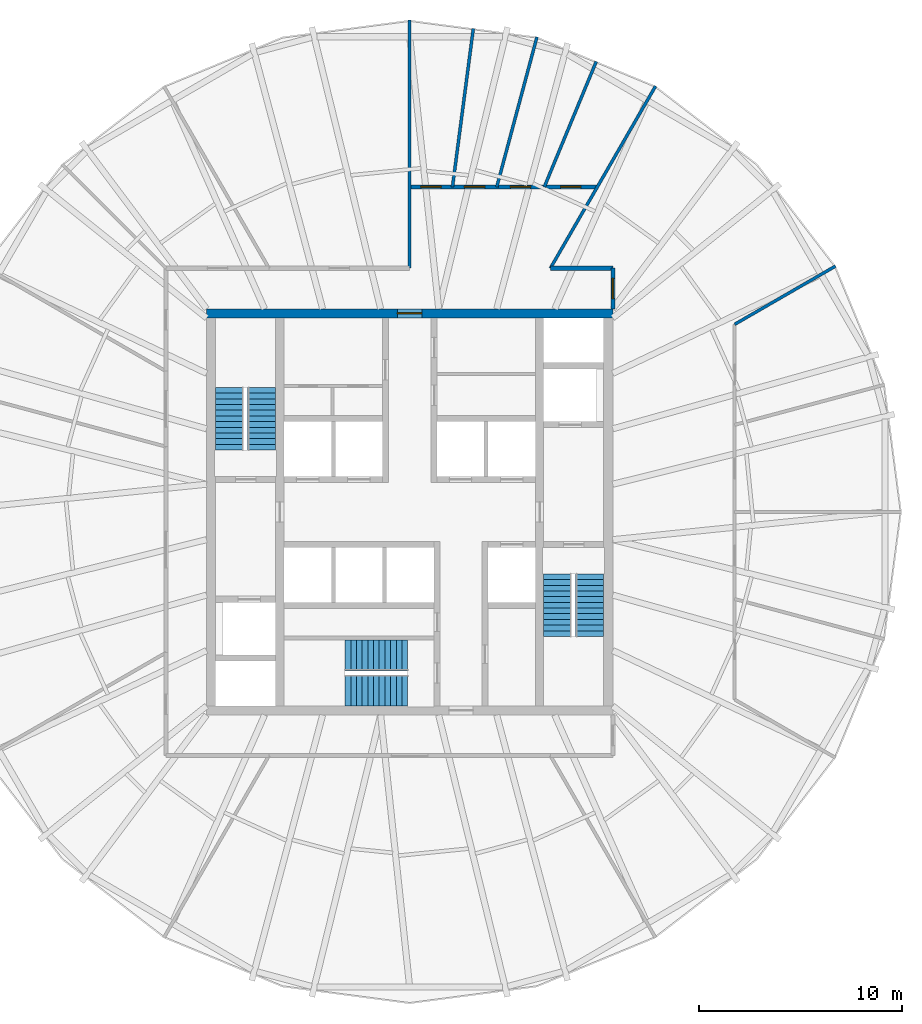
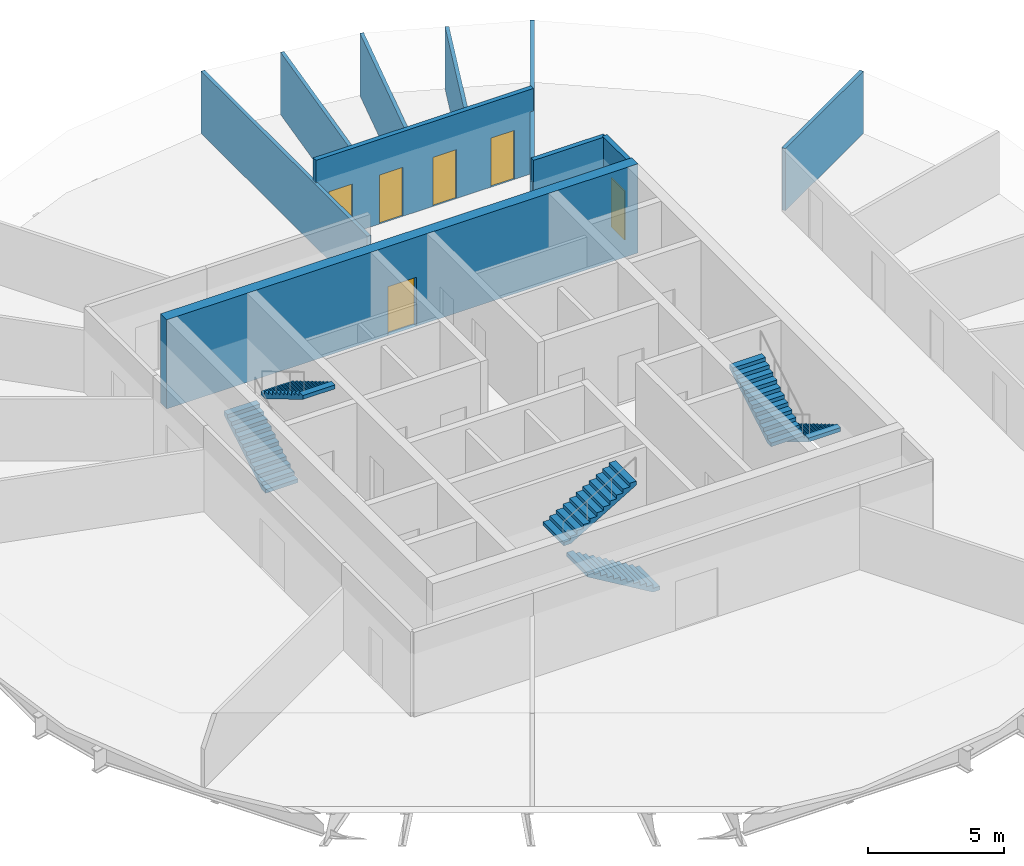
# One storey, part 5 of 6: 10 walls, 6 doors, 6 stair flights, 6 openings, 3 elements without a shape of their own.
"""IFC4 building model written with IfcOpenShell, lengths in metres."""

from ifc_helpers import new_model, si_unit, direction, frame, frame_2d, origin, place, context, subcontext, project, spatial, polyline, rectangle, outline, extrude, material, layer, layer_set, type_object, element, fill, aggregate, save


model = new_model("IFC4")

# Units and contexts
model_context = context("Model", 3, precision=1e-05, world=origin(), true_north=direction((0.0, 1.0)))
body_context = subcontext(model_context, "Body", "Model", "MODEL_VIEW")
ifc_project = project(units=[si_unit("LENGTHUNIT", "METRE"), si_unit("AREAUNIT", "SQUARE_METRE"), si_unit("VOLUMEUNIT", "CUBIC_METRE"), si_unit("PLANEANGLEUNIT", "RADIAN"), si_unit("MASSUNIT", "GRAM", prefix="KILO")], contexts=[model_context])

# Site, building, storey
site_placement = place(None, origin())
site = spatial("IfcSite", under=ifc_project, at=site_placement, CompositionType="ELEMENT")
building_placement = place(site_placement, origin())
building = spatial("IfcBuilding", under=site, at=building_placement, Name="Golbaran Civic Tower", CompositionType="ELEMENT")
storey_placement = place(building_placement, frame((0.0, 0.0, 163.0)))
storey = spatial("IfcBuildingStorey", under=building, at=storey_placement, Name="L39", CompositionType="ELEMENT", Elevation=163.0)

# Wall, opening, door
ifc_material_1 = material(Name="Concrete C50/60", Category="concrete")
ifc_layer_1 = layer(ifc_material_1, 0.449951171875, Name="Concrete C50/60")
ifc_layer_set_1 = layer_set([ifc_layer_1], Name="Concrete C50/60")
wall_type_1 = type_object("IfcWallType", Name="CORE WALL CONCRETE 450", PredefinedType="SOLIDWALL", material=ifc_layer_set_1)
wall_1_placement = place(storey_placement, frame((-10.0, 9.77490234375, 0.0), z_axis=(0.0, 0.0, 1.0), x_axis=(1.0, 0.0, 0.0)))
wall_1 = element("IfcWall", 1, at=wall_1_placement, inside=storey, type_object=wall_type_1, Name="Core wall CN L39", PredefinedType="SOLIDWALL", context=body_context, shape_type="SweptSolid", body=[
    extrude(rectangle(XDim=20.0, YDim=0.449951171875, at=frame_2d((10.0, 0.0))), origin(), (0.0, 0.0, 1.0), 4.0),
])
opening_1_placement = place(wall_1_placement, frame((9.39990234375, 0.0, 0.0)))
opening_1 = element("IfcOpeningElement", 2, at=opening_1_placement, cuts=wall_1, Name="Opening L39.CN", PredefinedType="OPENING", context=body_context, shape_type="SweptSolid", body=[
    extrude(rectangle(XDim=1.199951171875, YDim=2.199951171875, at=frame_2d((0.60009765625, 1.10009765625))), frame((0.0, 0.23486328125, 0.0), z_axis=(0.0, -1.0, 0.0), x_axis=(1.0, 0.0, 0.0)), (0.0, 0.0, 1.0), 0.469970703125),
])
ifc_material_2 = material(Name="Timber door set in steel frame", Category="steel")
door_type_1 = type_object("IfcDoorType", Name="CORE DOOR 1200x2200", OperationType="DOUBLE_DOOR_SINGLE_SWING", PredefinedType="DOOR", material=ifc_material_2)
door_1_placement = place(opening_1_placement, origin())
door_1 = element("IfcDoor", 3, at=door_1_placement, inside=storey, type_object=door_type_1, Name="Core door north", OperationType="DOUBLE_DOOR_SINGLE_SWING", OverallHeight=2.199951171875, OverallWidth=1.199951171875, PredefinedType="DOOR", context=body_context, shape_type="SweptSolid", body=[
    extrude(rectangle(XDim=1.199951171875, YDim=2.199951171875, at=frame_2d((0.60009765625, 1.10009765625))), frame((0.0, 0.02490234375, 0.0), z_axis=(0.0, -1.0, 0.0), x_axis=(1.0, 0.0, 0.0)), (0.0, 0.0, 1.0), 0.050048828125),
])
fill(opening_1, door_1)

# Wall
ifc_material_3 = material(Name="Gypsum board on steel studs, fire-rated", Category="steel")
ifc_layer_2 = layer(ifc_material_3, 0.199951171875, Name="Gypsum board on steel studs, fire-rated")
ifc_layer_set_2 = layer_set([ifc_layer_2], Name="Gypsum board on steel studs, fire-rated")
wall_type_2 = type_object("IfcWallType", Name="CORRIDOR WALL 200", PredefinedType="PARTITIONING", material=ifc_layer_set_2)
wall_2_placement = place(storey_placement, frame((10.0, 12.0, 0.0), z_axis=(0.0, 0.0, 1.0), x_axis=(-1.0, 0.0, 0.0)))
element("IfcWall", 4, at=wall_2_placement, inside=storey, type_object=wall_type_2, Name="Corridor wall L39", PredefinedType="PARTITIONING", context=body_context, shape_type="SweptSolid", body=[
    extrude(rectangle(XDim=3.07177734375, YDim=0.199951171875, at=frame_2d((1.535888671875, 0.0))), origin(), (0.0, 0.0, 1.0), 3.800048828125),
])

# Wall, opening, door
wall_3_placement = place(storey_placement, frame((10.0, 10.0, 0.0), z_axis=(0.0, 0.0, 1.0), x_axis=(0.0, 1.0, 0.0)))
wall_3 = element("IfcWall", 5, at=wall_3_placement, inside=storey, type_object=wall_type_2, Name="Corridor end wall L39", PredefinedType="PARTITIONING", context=body_context, shape_type="SweptSolid", body=[
    extrude(rectangle(XDim=2.0, YDim=0.199951171875, at=frame_2d((1.0, 0.0))), origin(), (0.0, 0.0, 1.0), 3.800048828125),
])
opening_2_placement = place(wall_3_placement, frame((0.5, 0.0, 0.0)))
opening_2 = element("IfcOpeningElement", 6, at=opening_2_placement, cuts=wall_3, Name="Opening L39.18", PredefinedType="OPENING", context=body_context, shape_type="SweptSolid", body=[
    extrude(rectangle(XDim=1.0, YDim=2.199951171875, at=frame_2d((0.5, 1.10009765625))), frame((0.0, 0.10986328125, 0.0), z_axis=(0.0, -1.0, 0.0), x_axis=(1.0, 0.0, 0.0)), (0.0, 0.0, 1.0), 0.219970703125),
])
door_type_2 = type_object("IfcDoorType", Name="OFFICE DOOR 1000x2200", OperationType="SINGLE_SWING_LEFT", PredefinedType="DOOR", material=ifc_material_2)
door_2_placement = place(opening_2_placement, origin())
door_2 = element("IfcDoor", 7, at=door_2_placement, inside=storey, type_object=door_type_2, Name="Open Office door L39", OperationType="SINGLE_SWING_LEFT", OverallHeight=2.199951171875, OverallWidth=1.0, PredefinedType="DOOR", context=body_context, shape_type="SweptSolid", body=[
    extrude(rectangle(XDim=1.0, YDim=2.199951171875, at=frame_2d((0.5, 1.10009765625))), frame((0.0, 0.02490234375, 0.0), z_axis=(0.0, -1.0, 0.0), x_axis=(1.0, 0.0, 0.0)), (0.0, 0.0, 1.0), 0.050048828125),
])
fill(opening_2, door_2)

# Wall, openings, doors
ifc_material_4 = material(Name="Gypsum board on steel studs, fire-rated, glazed panels", Category="steel")
ifc_layer_3 = layer(ifc_material_4, 0.199951171875, Name="Gypsum board on steel studs, fire-rated, glazed panels")
ifc_layer_set_3 = layer_set([ifc_layer_3], Name="Gypsum board on steel studs, fire-rated, glazed panels")
wall_type_3 = type_object("IfcWallType", Name="GALLERY WALL 200", PredefinedType="PARTITIONING", material=ifc_layer_set_3)
wall_4_placement = place(storey_placement, frame((9.237548828125, 16.0, 0.0), z_axis=(0.0, 0.0, 1.0), x_axis=(-1.0, 0.0, 0.0)))
wall_4 = element("IfcWall", 8, at=wall_4_placement, inside=storey, type_object=wall_type_3, Name="Gallery wall L39", PredefinedType="PARTITIONING", context=body_context, shape_type="SweptSolid", body=[
    extrude(rectangle(XDim=9.237548828125, YDim=0.199951171875, at=frame_2d((4.61865234375, 0.0))), origin(), (0.0, 0.0, 1.0), 3.800048828125),
])
opening_3_placement = place(wall_4_placement, frame((0.80517578125, 0.0, 0.0)))
opening_3 = element("IfcOpeningElement", 9, at=opening_3_placement, cuts=wall_4, Name="Opening L39.05", PredefinedType="OPENING", context=body_context, shape_type="SweptSolid", body=[
    extrude(rectangle(XDim=1.0, YDim=2.199951171875, at=frame_2d((0.5, 1.10009765625))), frame((0.0, 0.10986328125, 0.0), z_axis=(0.0, -1.0, 0.0), x_axis=(1.0, 0.0, 0.0)), (0.0, 0.0, 1.0), 0.219970703125),
])
opening_4_placement = place(wall_4_placement, frame((3.2802734375, 0.0, 0.0)))
opening_4 = element("IfcOpeningElement", 10, at=opening_4_placement, cuts=wall_4, Name="Opening L39.06", PredefinedType="OPENING", context=body_context, shape_type="SweptSolid", body=[
    extrude(rectangle(XDim=1.0, YDim=2.199951171875, at=frame_2d((0.5, 1.10009765625))), frame((0.0, 0.10986328125, 0.0), z_axis=(0.0, -1.0, 0.0), x_axis=(1.0, 0.0, 0.0)), (0.0, 0.0, 1.0), 0.219970703125),
])
opening_5_placement = place(wall_4_placement, frame((5.540771484375, 0.0, 0.0)))
opening_5 = element("IfcOpeningElement", 11, at=opening_5_placement, cuts=wall_4, Name="Opening L39.07", PredefinedType="OPENING", context=body_context, shape_type="SweptSolid", body=[
    extrude(rectangle(XDim=1.0, YDim=2.199951171875, at=frame_2d((0.5, 1.10009765625))), frame((0.0, 0.10986328125, 0.0), z_axis=(0.0, -1.0, 0.0), x_axis=(1.0, 0.0, 0.0)), (0.0, 0.0, 1.0), 0.219970703125),
])
opening_6_placement = place(wall_4_placement, frame((7.684326171875, 0.0, 0.0)))
opening_6 = element("IfcOpeningElement", 12, at=opening_6_placement, cuts=wall_4, Name="Opening L39.08", PredefinedType="OPENING", context=body_context, shape_type="SweptSolid", body=[
    extrude(rectangle(XDim=1.0, YDim=2.199951171875, at=frame_2d((0.5, 1.10009765625))), frame((0.0, 0.10986328125, 0.0), z_axis=(0.0, -1.0, 0.0), x_axis=(1.0, 0.0, 0.0)), (0.0, 0.0, 1.0), 0.219970703125),
])
door_3_placement = place(opening_3_placement, origin())
door_3 = element("IfcDoor", 13, at=door_3_placement, inside=storey, type_object=door_type_2, Name="Office door L39", OperationType="SINGLE_SWING_LEFT", OverallHeight=2.199951171875, OverallWidth=1.0, PredefinedType="DOOR", context=body_context, shape_type="SweptSolid", body=[
    extrude(rectangle(XDim=1.0, YDim=2.199951171875, at=frame_2d((0.5, 1.10009765625))), frame((0.0, 0.02490234375, 0.0), z_axis=(0.0, -1.0, 0.0), x_axis=(1.0, 0.0, 0.0)), (0.0, 0.0, 1.0), 0.050048828125),
])
fill(opening_3, door_3)
door_4_placement = place(opening_4_placement, origin())
door_4 = element("IfcDoor", 14, at=door_4_placement, inside=storey, type_object=door_type_2, Name="Office door L39", OperationType="SINGLE_SWING_LEFT", OverallHeight=2.199951171875, OverallWidth=1.0, PredefinedType="DOOR", context=body_context, shape_type="SweptSolid", body=[
    extrude(rectangle(XDim=1.0, YDim=2.199951171875, at=frame_2d((0.5, 1.10009765625))), frame((0.0, 0.02490234375, 0.0), z_axis=(0.0, -1.0, 0.0), x_axis=(1.0, 0.0, 0.0)), (0.0, 0.0, 1.0), 0.050048828125),
])
fill(opening_4, door_4)
door_5_placement = place(opening_5_placement, origin())
door_5 = element("IfcDoor", 15, at=door_5_placement, inside=storey, type_object=door_type_2, Name="Director's Office door L39", OperationType="SINGLE_SWING_RIGHT", OverallHeight=2.199951171875, OverallWidth=1.0, PredefinedType="DOOR", context=body_context, shape_type="SweptSolid", body=[
    extrude(rectangle(XDim=1.0, YDim=2.199951171875, at=frame_2d((0.5, 1.10009765625))), frame((0.0, 0.02490234375, 0.0), z_axis=(0.0, -1.0, 0.0), x_axis=(1.0, 0.0, 0.0)), (0.0, 0.0, 1.0), 0.050048828125),
])
fill(opening_5, door_5)
door_6_placement = place(opening_6_placement, origin())
door_6 = element("IfcDoor", 16, at=door_6_placement, inside=storey, type_object=door_type_2, Name="Director's Office door L39", OperationType="SINGLE_SWING_RIGHT", OverallHeight=2.199951171875, OverallWidth=1.0, PredefinedType="DOOR", context=body_context, shape_type="SweptSolid", body=[
    extrude(rectangle(XDim=1.0, YDim=2.199951171875, at=frame_2d((0.5, 1.10009765625))), frame((0.0, 0.02490234375, 0.0), z_axis=(0.0, -1.0, 0.0), x_axis=(1.0, 0.0, 0.0)), (0.0, 0.0, 1.0), 0.050048828125),
])
fill(opening_6, door_6)

# Walls
ifc_material_5 = material(Name="Gypsum board on steel studs", Category="steel")
ifc_layer_4 = layer(ifc_material_5, 0.14990234375, Name="Gypsum board on steel studs")
ifc_layer_set_4 = layer_set([ifc_layer_4], Name="Gypsum board on steel studs")
wall_type_4 = type_object("IfcWallType", Name="OFFICE PARTITION 150", PredefinedType="PARTITIONING", material=ifc_layer_set_4)
wall_5_placement = place(storey_placement, frame((6.92822265625, 12.0, 0.0), z_axis=(0.0, 0.0, 1.0), x_axis=(0.500006140648, 0.86602185845, 0.0)))
element("IfcWall", 17, at=wall_5_placement, inside=storey, type_object=wall_type_4, Name="Partition 60 L39", PredefinedType="PARTITIONING", context=body_context, shape_type="SweptSolid", body=[
    extrude(rectangle(XDim=10.354736328125, YDim=0.14990234375, at=frame_2d((5.17724609375, 0.0))), origin(), (0.0, 0.0, 1.0), 2.7900390625),
])
wall_6_placement = place(storey_placement, frame((0.0, 12.0, 0.0), z_axis=(0.0, 0.0, 1.0), x_axis=(0.0, 1.0, 0.0)))
element("IfcWall", 18, at=wall_6_placement, inside=storey, type_object=wall_type_4, Name="Partition 90 L39", PredefinedType="PARTITIONING", context=body_context, shape_type="SweptSolid", body=[
    extrude(rectangle(XDim=12.211181640625, YDim=0.14990234375, at=frame_2d((6.10546875, 0.0))), origin(), (0.0, 0.0, 1.0), 2.7900390625),
])
wall_7_placement = place(storey_placement, frame((16.0, 9.237548828125, 0.0), z_axis=(0.0, 0.0, 1.0), x_axis=(0.866013348985, 0.500020878944, 0.0)))
element("IfcWall", 19, at=wall_7_placement, inside=storey, type_object=wall_type_4, Name="Suite side partition L39", PredefinedType="PARTITIONING", context=body_context, shape_type="SweptSolid", body=[
    extrude(rectangle(XDim=5.736083984375, YDim=0.14990234375, at=frame_2d((2.8681640625, 0.0))), origin(), (0.0, 0.0, 1.0), 2.7900390625),
])
wall_8_placement = place(storey_placement, frame((6.62744140625, 16.0, 0.0), z_axis=(0.0, 0.0, 1.0), x_axis=(0.382682891863, 0.923879756395, 0.0)))
element("IfcWall", 20, at=wall_8_placement, inside=storey, type_object=wall_type_4, Name="Partition 67.5 L39", PredefinedType="PARTITIONING", context=body_context, shape_type="SweptSolid", body=[
    extrude(rectangle(XDim=6.68603515625, YDim=0.14990234375, at=frame_2d((3.343017578125, 0.0))), origin(), (0.0, 0.0, 1.0), 2.7900390625),
])
wall_9_placement = place(storey_placement, frame((4.287109375, 16.0, 0.0), z_axis=(0.0, 0.0, 1.0), x_axis=(0.25883290061, 0.965922113611, 0.0)))
element("IfcWall", 21, at=wall_9_placement, inside=storey, type_object=wall_type_4, Name="Partition 75 L39", PredefinedType="PARTITIONING", context=body_context, shape_type="SweptSolid", body=[
    extrude(rectangle(XDim=7.646728515625, YDim=0.14990234375, at=frame_2d((3.8232421875, 0.0))), origin(), (0.0, 0.0, 1.0), 2.7900390625),
])
wall_10_placement = place(storey_placement, frame((2.1064453125, 16.0, 0.0), z_axis=(0.0, 0.0, 1.0), x_axis=(0.130510712839, 0.99144689915, 0.0)))
element("IfcWall", 22, at=wall_10_placement, inside=storey, type_object=wall_type_4, Name="Partition 82.5 L39", PredefinedType="PARTITIONING", context=body_context, shape_type="SweptSolid", body=[
    extrude(rectangle(XDim=7.8662109375, YDim=0.14990234375, at=frame_2d((3.93310546875, 0.0))), origin(), (0.0, 0.0, 1.0), 2.7900390625),
])

# Stair, stair flights
ifc_material_6 = material(Name="Concrete C35/45", Category="concrete")
stair_type_1 = type_object("IfcStairType", Name="EXIT STAIR 2950 x 7800, 4000 RISE", PredefinedType="HALF_TURN_STAIR", material=ifc_material_6)
stair_1_placement = place(storey_placement, origin())
stair_1 = element("IfcStair", 23, at=stair_1_placement, inside=storey, type_object=stair_type_1, Name="Stair S1 L39", PredefinedType="HALF_TURN_STAIR")
stair_flight_type_1 = type_object("IfcStairFlightType", Name="STAIR FLIGHT 1375 WIDE", PredefinedType="STRAIGHT", material=ifc_material_6)
stair_flight_1_placement = place(storey_placement, frame((-8.862548828125, 3.050048828125, 0.0), z_axis=(0.0, 0.0, 1.0), x_axis=(0.0, 1.0, 0.0)))
stair_flight_1 = element("IfcStairFlight", 24, at=stair_flight_1_placement, type_object=stair_flight_type_1, Name="ST29578-40 flight 1", NumberOfRisers=12, NumberOfTreads=11, PredefinedType="STRAIGHT", RiserHeight=0.166666667, TreadLength=0.28, context=body_context, shape_type="SweptSolid", body=[
    extrude(outline(polyline([(0.0, 0.0), (0.0, 0.166748046875), (0.280029296875, 0.166748046875), (0.280029296875, 0.333251953125), (0.56005859375, 0.333251953125), (0.56005859375, 0.5), (0.840087890625, 0.5), (0.840087890625, 0.666748046875), (1.1201171875, 0.666748046875), (1.1201171875, 0.833251953125), (1.39990234375, 0.833251953125), (1.39990234375, 1.0), (1.679931640625, 1.0), (1.679931640625, 1.166748046875), (1.9599609375, 1.166748046875), (1.9599609375, 1.333251953125), (2.239990234375, 1.333251953125), (2.239990234375, 1.5), (2.52001953125, 1.5), (2.52001953125, 1.666748046875), (2.800048828125, 1.666748046875), (2.800048828125, 1.833251953125), (3.080078125, 1.833251953125), (3.080078125, 2.0), (3.080078125, 1.658935546875), (0.29296875, 0.0), (0.0, 0.0)])), frame((0.0, 0.6875, 0.0), z_axis=(0.0, -1.0, 0.0), x_axis=(1.0, 0.0, 0.0)), (0.0, 0.0, 1.0), 1.375),
])
stair_flight_2_placement = place(storey_placement, frame((-7.28759765625, 6.1298828125, 2.0), z_axis=(0.0, 0.0, 1.0), x_axis=(0.0, -1.0, 0.0)))
stair_flight_2 = element("IfcStairFlight", 25, at=stair_flight_2_placement, type_object=stair_flight_type_1, Name="ST29578-40 flight 2", NumberOfRisers=12, NumberOfTreads=11, PredefinedType="STRAIGHT", RiserHeight=0.166666667, TreadLength=0.28, context=body_context, shape_type="SweptSolid", body=[
    extrude(outline(polyline([(0.0, 0.0), (0.0, 0.166748046875), (0.280029296875, 0.166748046875), (0.280029296875, 0.333251953125), (0.56005859375, 0.333251953125), (0.56005859375, 0.5), (0.840087890625, 0.5), (0.840087890625, 0.666748046875), (1.1201171875, 0.666748046875), (1.1201171875, 0.833251953125), (1.39990234375, 0.833251953125), (1.39990234375, 1.0), (1.679931640625, 1.0), (1.679931640625, 1.166748046875), (1.9599609375, 1.166748046875), (1.9599609375, 1.333251953125), (2.239990234375, 1.333251953125), (2.239990234375, 1.5), (2.52001953125, 1.5), (2.52001953125, 1.666748046875), (2.800048828125, 1.666748046875), (2.800048828125, 1.833251953125), (3.080078125, 1.833251953125), (3.080078125, 2.0), (3.080078125, 1.658935546875), (0.29296875, 0.0), (0.0, 0.0)])), frame((0.0, 0.6875, 0.0), z_axis=(0.0, -1.0, 0.0), x_axis=(1.0, 0.0, 0.0)), (0.0, 0.0, 1.0), 1.375),
])
aggregate(stair_1, [stair_flight_1, stair_flight_2])

stair_2_placement = place(storey_placement, origin())
stair_2 = element("IfcStair", 26, at=stair_2_placement, inside=storey, type_object=stair_type_1, Name="Stair S2 L39", PredefinedType="HALF_TURN_STAIR")
stair_flight_3_placement = place(storey_placement, frame((8.862548828125, -3.050048828125, 0.0), z_axis=(0.0, 0.0, 1.0), x_axis=(0.0, -1.0, 0.0)))
stair_flight_3 = element("IfcStairFlight", 27, at=stair_flight_3_placement, type_object=stair_flight_type_1, Name="ST29578-40 flight 1", NumberOfRisers=12, NumberOfTreads=11, PredefinedType="STRAIGHT", RiserHeight=0.166666667, TreadLength=0.28, context=body_context, shape_type="SweptSolid", body=[
    extrude(outline(polyline([(0.0, 0.0), (0.0, 0.166748046875), (0.280029296875, 0.166748046875), (0.280029296875, 0.333251953125), (0.56005859375, 0.333251953125), (0.56005859375, 0.5), (0.840087890625, 0.5), (0.840087890625, 0.666748046875), (1.1201171875, 0.666748046875), (1.1201171875, 0.833251953125), (1.39990234375, 0.833251953125), (1.39990234375, 1.0), (1.679931640625, 1.0), (1.679931640625, 1.166748046875), (1.9599609375, 1.166748046875), (1.9599609375, 1.333251953125), (2.239990234375, 1.333251953125), (2.239990234375, 1.5), (2.52001953125, 1.5), (2.52001953125, 1.666748046875), (2.800048828125, 1.666748046875), (2.800048828125, 1.833251953125), (3.080078125, 1.833251953125), (3.080078125, 2.0), (3.080078125, 1.658935546875), (0.29296875, 0.0), (0.0, 0.0)])), frame((0.0, 0.6875, 0.0), z_axis=(0.0, -1.0, 0.0), x_axis=(1.0, 0.0, 0.0)), (0.0, 0.0, 1.0), 1.375),
])
stair_flight_4_placement = place(storey_placement, frame((7.28759765625, -6.1298828125, 2.0), z_axis=(0.0, 0.0, 1.0), x_axis=(0.0, 1.0, 0.0)))
stair_flight_4 = element("IfcStairFlight", 28, at=stair_flight_4_placement, type_object=stair_flight_type_1, Name="ST29578-40 flight 2", NumberOfRisers=12, NumberOfTreads=11, PredefinedType="STRAIGHT", RiserHeight=0.166666667, TreadLength=0.28, context=body_context, shape_type="SweptSolid", body=[
    extrude(outline(polyline([(0.0, 0.0), (0.0, 0.166748046875), (0.280029296875, 0.166748046875), (0.280029296875, 0.333251953125), (0.56005859375, 0.333251953125), (0.56005859375, 0.5), (0.840087890625, 0.5), (0.840087890625, 0.666748046875), (1.1201171875, 0.666748046875), (1.1201171875, 0.833251953125), (1.39990234375, 0.833251953125), (1.39990234375, 1.0), (1.679931640625, 1.0), (1.679931640625, 1.166748046875), (1.9599609375, 1.166748046875), (1.9599609375, 1.333251953125), (2.239990234375, 1.333251953125), (2.239990234375, 1.5), (2.52001953125, 1.5), (2.52001953125, 1.666748046875), (2.800048828125, 1.666748046875), (2.800048828125, 1.833251953125), (3.080078125, 1.833251953125), (3.080078125, 2.0), (3.080078125, 1.658935546875), (0.29296875, 0.0), (0.0, 0.0)])), frame((0.0, 0.6875, 0.0), z_axis=(0.0, -1.0, 0.0), x_axis=(1.0, 0.0, 0.0)), (0.0, 0.0, 1.0), 1.375),
])
aggregate(stair_2, [stair_flight_3, stair_flight_4])

stair_type_2 = type_object("IfcStairType", Name="EXIT STAIR 3250 x 7400, 4000 RISE", PredefinedType="HALF_TURN_STAIR", material=ifc_material_6)
stair_3_placement = place(storey_placement, origin())
stair_3 = element("IfcStair", 29, at=stair_3_placement, inside=storey, type_object=stair_type_2, Name="Stair S3 L39", PredefinedType="HALF_TURN_STAIR")
stair_flight_type_2 = type_object("IfcStairFlightType", Name="STAIR FLIGHT 1525 WIDE", PredefinedType="STRAIGHT", material=ifc_material_6)
stair_flight_5_placement = place(storey_placement, frame((-0.10009765625, -8.78759765625, 0.0), z_axis=(0.0, 0.0, 1.0), x_axis=(-1.0, 0.0, 0.0)))
stair_flight_5 = element("IfcStairFlight", 30, at=stair_flight_5_placement, type_object=stair_flight_type_2, Name="ST32574-40 flight 1", NumberOfRisers=12, NumberOfTreads=11, PredefinedType="STRAIGHT", RiserHeight=0.166666667, TreadLength=0.28, context=body_context, shape_type="SweptSolid", body=[
    extrude(outline(polyline([(0.0, 0.0), (0.0, 0.166748046875), (0.280029296875, 0.166748046875), (0.280029296875, 0.333251953125), (0.56005859375, 0.333251953125), (0.56005859375, 0.5), (0.840087890625, 0.5), (0.840087890625, 0.666748046875), (1.1201171875, 0.666748046875), (1.1201171875, 0.833251953125), (1.39990234375, 0.833251953125), (1.39990234375, 1.0), (1.679931640625, 1.0), (1.679931640625, 1.166748046875), (1.9599609375, 1.166748046875), (1.9599609375, 1.333251953125), (2.239990234375, 1.333251953125), (2.239990234375, 1.5), (2.52001953125, 1.5), (2.52001953125, 1.666748046875), (2.800048828125, 1.666748046875), (2.800048828125, 1.833251953125), (3.080078125, 1.833251953125), (3.080078125, 2.0), (3.080078125, 1.658935546875), (0.29296875, 0.0), (0.0, 0.0)])), frame((0.0, 0.762451171875, 0.0), z_axis=(0.0, -1.0, 0.0), x_axis=(1.0, 0.0, 0.0)), (0.0, 0.0, 1.0), 1.52490234375),
])
stair_flight_6_placement = place(storey_placement, frame((-3.179931640625, -7.0625, 2.0), z_axis=(0.0, 0.0, 1.0), x_axis=(1.0, 0.0, 0.0)))
stair_flight_6 = element("IfcStairFlight", 31, at=stair_flight_6_placement, type_object=stair_flight_type_2, Name="ST32574-40 flight 2", NumberOfRisers=12, NumberOfTreads=11, PredefinedType="STRAIGHT", RiserHeight=0.166666667, TreadLength=0.28, context=body_context, shape_type="SweptSolid", body=[
    extrude(outline(polyline([(0.0, 0.0), (0.0, 0.166748046875), (0.280029296875, 0.166748046875), (0.280029296875, 0.333251953125), (0.56005859375, 0.333251953125), (0.56005859375, 0.5), (0.840087890625, 0.5), (0.840087890625, 0.666748046875), (1.1201171875, 0.666748046875), (1.1201171875, 0.833251953125), (1.39990234375, 0.833251953125), (1.39990234375, 1.0), (1.679931640625, 1.0), (1.679931640625, 1.166748046875), (1.9599609375, 1.166748046875), (1.9599609375, 1.333251953125), (2.239990234375, 1.333251953125), (2.239990234375, 1.5), (2.52001953125, 1.5), (2.52001953125, 1.666748046875), (2.800048828125, 1.666748046875), (2.800048828125, 1.833251953125), (3.080078125, 1.833251953125), (3.080078125, 2.0), (3.080078125, 1.658935546875), (0.29296875, 0.0), (0.0, 0.0)])), frame((0.0, 0.762451171875, 0.0), z_axis=(0.0, -1.0, 0.0), x_axis=(1.0, 0.0, 0.0)), (0.0, 0.0, 1.0), 1.52490234375),
])
aggregate(stair_3, [stair_flight_5, stair_flight_6])

save(model, "model.ifc")
